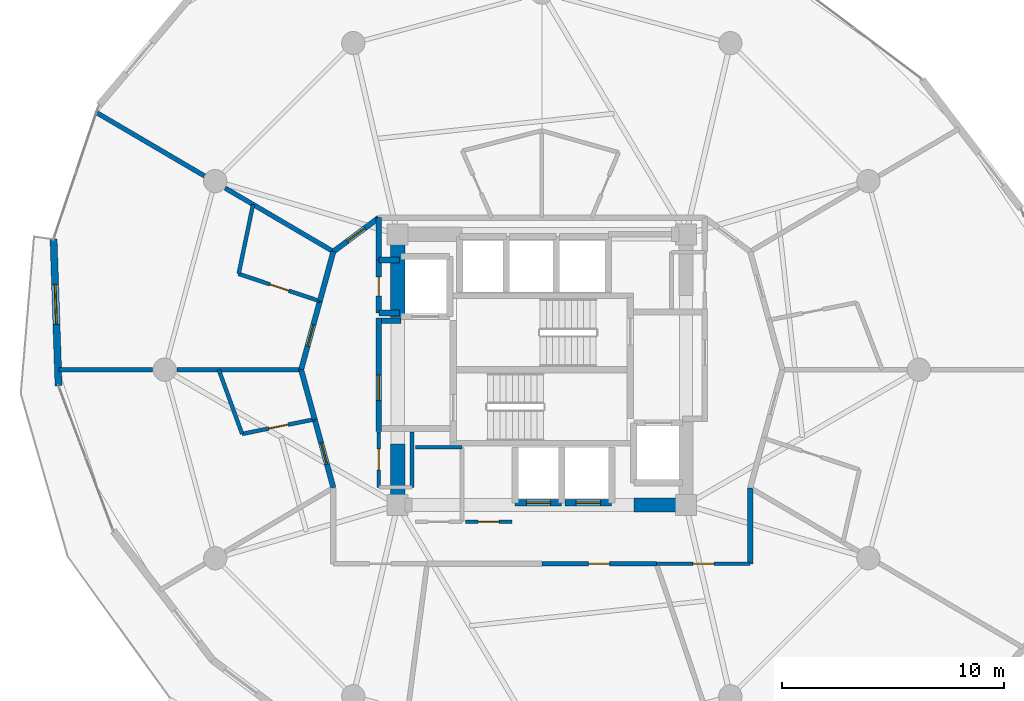
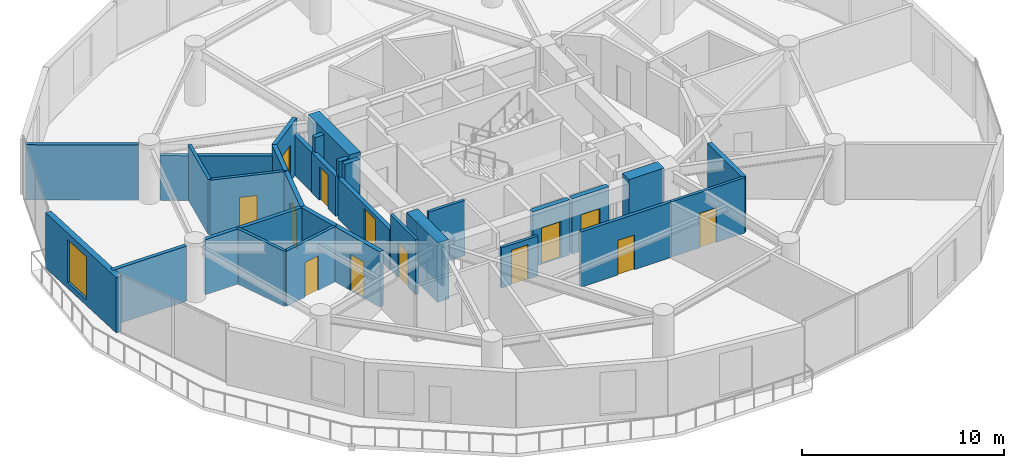
# One storey, part 21 of 25: 32 walls, 13 doors, 1 window, 14 openings.
"""IFC4 building model written with IfcOpenShell, lengths in metres."""

from ifc_helpers import new_model, si_unit, direction, frame, frame_2d, origin, place, context, subcontext, project, spatial, rectangle, extrude, material, layer, layer_set, type_object, element, fill, save


model = new_model("IFC4")

# Units and contexts
model_context = context("Model", 3, precision=1e-05, world=origin(), true_north=direction((0.0, 1.0)))
body_context = subcontext(model_context, "Body", "Model", "MODEL_VIEW")
ifc_project = project(units=[si_unit("LENGTHUNIT", "METRE"), si_unit("AREAUNIT", "SQUARE_METRE"), si_unit("VOLUMEUNIT", "CUBIC_METRE"), si_unit("PLANEANGLEUNIT", "RADIAN"), si_unit("MASSUNIT", "GRAM", prefix="KILO")], contexts=[model_context])

# Site, building, storey
site_placement = place(None, origin())
site = spatial("IfcSite", under=ifc_project, at=site_placement, CompositionType="ELEMENT")
building_placement = place(site_placement, origin())
building = spatial("IfcBuilding", under=site, at=building_placement, Name="Solvirekh Grand Hotel", CompositionType="ELEMENT")
storey_placement = place(building_placement, frame((0.0, 0.0, 106.199951171875)))
storey = spatial("IfcBuildingStorey", under=building, at=storey_placement, Name="L26", CompositionType="ELEMENT", Elevation=106.199951171875)

# Wall, opening, door
ifc_material_1 = material(Name="Concrete C40/50", Category="concrete")
ifc_layer_1 = layer(ifc_material_1, 0.280029296875)
ifc_layer_set_1 = layer_set([ifc_layer_1], Name="Concrete C40/50")
wall_type_1 = type_object("IfcWallType", Name="CoreShaftWall_RC280", PredefinedType="SOLIDWALL", material=ifc_layer_set_1)
wall_1_placement = place(storey_placement, frame((-1.199951171875, -6.0, 0.0), z_axis=(0.0, 0.0, 1.0), x_axis=(1.0, 0.0, 0.0)))
wall_1 = element("IfcWall", 1, at=wall_1_placement, inside=storey, type_object=wall_type_1, Name="L26 MP-1 hoistway S wall", PredefinedType="SOLIDWALL", context=body_context, shape_type="SweptSolid", body=[
    extrude(rectangle(XDim=2.099853515625, YDim=0.280029296875, at=frame_2d((1.0498046875, 0.0))), origin(), (0.0, 0.0, 1.0), 3.35009765625),
])
opening_1_placement = place(wall_1_placement, frame((0.5, 0.0, 0.0)))
opening_1 = element("IfcOpeningElement", 2, at=opening_1_placement, cuts=wall_1, Name="Opening LD01", PredefinedType="OPENING", context=body_context, shape_type="SweptSolid", body=[
    extrude(rectangle(XDim=1.10009765625, YDim=2.199951171875, at=frame_2d((0.550048828125, 1.10009765625))), frame((0.0, 0.14990234375, 0.0), z_axis=(0.0, -1.0, 0.0), x_axis=(1.0, 0.0, 0.0)), (0.0, 0.0, 1.0), 0.300048828125),
])
ifc_material_2 = material(Name="Fire-Rated Steel Door Assembly", Category="steel")
door_type_1 = type_object("IfcDoorType", Name="Door_LiftLanding_1100X2200", OperationType="SLIDING_TO_LEFT", PredefinedType="DOOR", material=ifc_material_2)
door_1_placement = place(opening_1_placement, origin())
door_1 = element("IfcDoor", 3, at=door_1_placement, inside=storey, type_object=door_type_1, Name="L26 MP-1 sliding lift landing door", OperationType="SLIDING_TO_LEFT", OverallHeight=2.199951171875, OverallWidth=1.10009765625, PredefinedType="DOOR", context=body_context, shape_type="SweptSolid", body=[
    extrude(rectangle(XDim=1.10009765625, YDim=2.199951171875, at=frame_2d((0.550048828125, 1.10009765625))), frame((0.0, 0.02490234375, 0.0), z_axis=(0.0, -1.0, 0.0), x_axis=(1.0, 0.0, 0.0)), (0.0, 0.0, 1.0), 0.050048828125),
])
fill(opening_1, door_1)

wall_2_placement = place(storey_placement, frame((1.050048828125, -6.0, 0.0), z_axis=(0.0, 0.0, 1.0), x_axis=(1.0, 0.0, 0.0)))
wall_2 = element("IfcWall", 4, at=wall_2_placement, inside=storey, type_object=wall_type_1, Name="L26 MP-2 hoistway S wall", PredefinedType="SOLIDWALL", context=body_context, shape_type="SweptSolid", body=[
    extrude(rectangle(XDim=2.099853515625, YDim=0.280029296875, at=frame_2d((1.0498046875, 0.0))), origin(), (0.0, 0.0, 1.0), 3.35009765625),
])
opening_2_placement = place(wall_2_placement, frame((0.5, 0.0, 0.0)))
opening_2 = element("IfcOpeningElement", 5, at=opening_2_placement, cuts=wall_2, Name="Opening LD01", PredefinedType="OPENING", context=body_context, shape_type="SweptSolid", body=[
    extrude(rectangle(XDim=1.10009765625, YDim=2.199951171875, at=frame_2d((0.550048828125, 1.10009765625))), frame((0.0, 0.14990234375, 0.0), z_axis=(0.0, -1.0, 0.0), x_axis=(1.0, 0.0, 0.0)), (0.0, 0.0, 1.0), 0.300048828125),
])
door_2_placement = place(opening_2_placement, origin())
door_2 = element("IfcDoor", 6, at=door_2_placement, inside=storey, type_object=door_type_1, Name="L26 MP-2 sliding lift landing door", OperationType="SLIDING_TO_LEFT", OverallHeight=2.199951171875, OverallWidth=1.10009765625, PredefinedType="DOOR", context=body_context, shape_type="SweptSolid", body=[
    extrude(rectangle(XDim=1.10009765625, YDim=2.199951171875, at=frame_2d((0.550048828125, 1.10009765625))), frame((0.0, 0.02490234375, 0.0), z_axis=(0.0, -1.0, 0.0), x_axis=(1.0, 0.0, 0.0)), (0.0, 0.0, 1.0), 0.050048828125),
])
fill(opening_2, door_2)

# Walls
ifc_material_3 = material(Name="Concrete C50/60", Category="concrete")
ifc_layer_2 = layer(ifc_material_3, 0.64990234375)
ifc_layer_set_2 = layer_set([ifc_layer_2], Name="Concrete C50/60")
wall_type_2 = type_object("IfcWallType", Name="CoreWall_RC650", PredefinedType="SHEAR", material=ifc_layer_set_2)
wall_3_placement = place(storey_placement, frame((4.14990234375, -6.10009765625, 0.0), z_axis=(0.0, 0.0, 1.0), x_axis=(1.0, 0.0, 0.0)))
element("IfcWall", 7, at=wall_3_placement, inside=storey, type_object=wall_type_2, Name="L26 core corner shear wall SE-S", PredefinedType="SHEAR", context=body_context, shape_type="SweptSolid", body=[
    extrude(rectangle(XDim=2.025146484375, YDim=0.64990234375, at=frame_2d((1.0126953125, 0.0))), origin(), (0.0, 0.0, 1.0), 3.60009765625),
])
wall_4_placement = place(storey_placement, frame((-6.5, 2.35009765625, 0.0), z_axis=(0.0, 0.0, 1.0), x_axis=(0.0, 1.0, 0.0)))
element("IfcWall", 8, at=wall_4_placement, inside=storey, type_object=wall_type_2, Name="L26 core corner shear wall WN-W", PredefinedType="SHEAR", context=body_context, shape_type="SweptSolid", body=[
    extrude(rectangle(XDim=4.074951171875, YDim=0.64990234375, at=frame_2d((2.03759765625, 0.0))), origin(), (0.0, 0.0, 1.0), 3.60009765625),
])
wall_5_placement = place(storey_placement, frame((-6.5, -6.425048828125, 0.0), z_axis=(0.0, 0.0, 1.0), x_axis=(0.0, 1.0, 0.0)))
element("IfcWall", 9, at=wall_5_placement, inside=storey, type_object=wall_type_2, Name="L26 core corner shear wall WS-W", PredefinedType="SHEAR", context=body_context, shape_type="SweptSolid", body=[
    extrude(rectangle(XDim=3.074951171875, YDim=0.64990234375, at=frame_2d((1.53759765625, 0.0))), origin(), (0.0, 0.0, 1.0), 3.60009765625),
])

# Wall, opening, window
ifc_material_4 = material(Name="Precast concrete C45/55", Category="concrete")
ifc_layer_3 = layer(ifc_material_4, 0.320068359375)
ifc_layer_set_3 = layer_set([ifc_layer_3], Name="Precast concrete C45/55")
wall_type_3 = type_object("IfcWallType", Name="ExtLobbyWall_RC320", PredefinedType="SOLIDWALL", material=ifc_layer_set_3)
wall_6_placement = place(storey_placement, frame((-21.785888671875, -0.722900390625, 0.0), z_axis=(0.0, 0.0, 1.0), x_axis=(-0.034040106065, 0.999420467661, 0.0)))
wall_6 = element("IfcWall", 10, at=wall_6_placement, inside=storey, type_object=wall_type_3, Name="L26 exterior structural wall chord 12", PredefinedType="SOLIDWALL", context=body_context, shape_type="SweptSolid", body=[
    extrude(rectangle(XDim=6.61279296875, YDim=0.320068359375, at=frame_2d((3.306396484375, 0.0))), origin(), (0.0, 0.0, 1.0), 3.35009765625),
])
opening_3_placement = place(wall_6_placement, frame((2.76708984375, 0.0, 0.35009765625)))
opening_3 = element("IfcOpeningElement", 11, at=opening_3_placement, cuts=wall_6, Name="Opening W02", PredefinedType="OPENING", context=body_context, shape_type="SweptSolid", body=[
    extrude(rectangle(XDim=1.800048828125, YDim=2.60009765625, at=frame_2d((0.89990234375, 1.300048828125))), frame((0.0, 0.169921875, 0.0), z_axis=(0.0, -1.0, 0.0), x_axis=(1.0, 0.0, 0.0)), (0.0, 0.0, 1.0), 0.340087890625),
])
ifc_material_5 = material(Name="Low-E Tinted Bronze Laminated Glass", Category="aluminium")
window_type = type_object("IfcWindowType", Name="Win_LobbyExt_1800X2600", PartitioningType="SINGLE_PANEL", PredefinedType="WINDOW", material=ifc_material_5)
window_placement = place(opening_3_placement, origin())
window = element("IfcWindow", 12, at=window_placement, inside=storey, type_object=window_type, Name="L26 panoramic bronze-framed window 12", OverallHeight=2.60009765625, OverallWidth=1.800048828125, PartitioningType="SINGLE_PANEL", PredefinedType="WINDOW", context=body_context, shape_type="SweptSolid", body=[
    extrude(rectangle(XDim=1.800048828125, YDim=2.60009765625, at=frame_2d((0.89990234375, 1.300048828125))), frame((0.0, 0.030029296875, 0.0), z_axis=(0.0, -1.0, 0.0), x_axis=(1.0, 0.0, 0.0)), (0.0, 0.0, 1.0), 0.06005859375),
])
fill(opening_3, window)

# Wall
ifc_material_6 = material(Name="Acoustic Gypsum Partition Assembly")
ifc_layer_4 = layer(ifc_material_6, 0.1650390625)
ifc_layer_set_4 = layer_set([ifc_layer_4], Name="Acoustic Gypsum Partition Assembly")
wall_type_4 = type_object("IfcWallType", Name="Part_BOH_165", PredefinedType="PARTITIONING", material=ifc_layer_set_4)
wall_7_placement = place(storey_placement, frame((-5.85009765625, -5.300048828125, 0.0), z_axis=(0.0, 0.0, 1.0), x_axis=(0.0, 1.0, 0.0)))
element("IfcWall", 13, at=wall_7_placement, inside=storey, type_object=wall_type_4, Name="L26 L26 Core Linen Store wall 2", PredefinedType="PARTITIONING", context=body_context, shape_type="SweptSolid", body=[
    extrude(rectangle(XDim=2.5, YDim=0.1650390625, at=frame_2d((1.25, 0.0))), origin(), (0.0, 0.0, 1.0), 2.43505859375),
])

# Wall, opening, door
wall_8_placement = place(storey_placement, frame((-7.35009765625, -2.800048828125, 0.0), z_axis=(0.0, 0.0, 1.0), x_axis=(0.0, -1.0, 0.0)))
wall_8 = element("IfcWall", 14, at=wall_8_placement, inside=storey, type_object=wall_type_4, Name="L26 L26 Core Linen Store wall 4", PredefinedType="PARTITIONING", context=body_context, shape_type="SweptSolid", body=[
    extrude(rectangle(XDim=2.5, YDim=0.1650390625, at=frame_2d((1.25, 0.0))), origin(), (0.0, 0.0, 1.0), 3.35009765625),
])
opening_4_placement = place(wall_8_placement, frame((0.77490234375, 0.0, 0.0)))
opening_4 = element("IfcOpeningElement", 15, at=opening_4_placement, cuts=wall_8, Name="Opening D10", PredefinedType="OPENING", context=body_context, shape_type="SweptSolid", body=[
    extrude(rectangle(XDim=0.949951171875, YDim=2.10009765625, at=frame_2d((0.47509765625, 1.050048828125))), frame((0.0, 0.092529296875, 0.0), z_axis=(0.0, -1.0, 0.0), x_axis=(1.0, 0.0, 0.0)), (0.0, 0.0, 1.0), 0.18505859375),
])
ifc_material_7 = material(Name="Anodized Bronze Aluminium 6063-T6", Category="aluminium")
door_type_2 = type_object("IfcDoorType", Name="Door_RoomInt_950X2100", OperationType="NOTDEFINED", PredefinedType="DOOR", material=ifc_material_7)
door_3_placement = place(opening_4_placement, origin())
door_3 = element("IfcDoor", 16, at=door_3_placement, inside=storey, type_object=door_type_2, Name="L26 L26 Core Linen Store door", OperationType="SINGLE_SWING_LEFT", OverallHeight=2.10009765625, OverallWidth=0.949951171875, PredefinedType="DOOR", context=body_context, shape_type="SweptSolid", body=[
    extrude(rectangle(XDim=0.949951171875, YDim=2.10009765625, at=frame_2d((0.47509765625, 1.050048828125))), frame((0.0, 0.02490234375, 0.0), z_axis=(0.0, -1.0, 0.0), x_axis=(1.0, 0.0, 0.0)), (0.0, 0.0, 1.0), 0.050048828125),
])
fill(opening_4, door_3)

# Wall
wall_9_placement = place(storey_placement, frame((-3.60009765625, -3.5, 0.0), z_axis=(0.0, 0.0, 1.0), x_axis=(-1.0, 0.0, 0.0)))
element("IfcWall", 17, at=wall_9_placement, inside=storey, type_object=wall_type_4, Name="L26 Mid-Zone Housekeeping Store wall 3", PredefinedType="PARTITIONING", context=body_context, shape_type="SweptSolid", body=[
    extrude(rectangle(XDim=2.099853515625, YDim=0.1650390625, at=frame_2d((1.0498046875, 0.0))), origin(), (0.0, 0.0, 1.0), 3.35009765625),
])

# Wall, opening, door
wall_10_placement = place(storey_placement, frame((-3.449951171875, -6.85009765625, 0.0), z_axis=(0.0, 0.0, 1.0), x_axis=(1.0, 0.0, 0.0)))
wall_10 = element("IfcWall", 18, at=wall_10_placement, inside=storey, type_object=wall_type_4, Name="L26 Mid-Zone Linen Closet wall 1", PredefinedType="PARTITIONING", context=body_context, shape_type="SweptSolid", body=[
    extrude(rectangle(XDim=2.099853515625, YDim=0.1650390625, at=frame_2d((1.0498046875, 0.0))), origin(), (0.0, 0.0, 1.0), 2.43505859375),
])
opening_5_placement = place(wall_10_placement, frame((0.574951171875, 0.0, 0.0)))
opening_5 = element("IfcOpeningElement", 19, at=opening_5_placement, cuts=wall_10, Name="Opening D10", PredefinedType="OPENING", context=body_context, shape_type="SweptSolid", body=[
    extrude(rectangle(XDim=0.949951171875, YDim=2.10009765625, at=frame_2d((0.47509765625, 1.050048828125))), frame((0.0, 0.092529296875, 0.0), z_axis=(0.0, -1.0, 0.0), x_axis=(1.0, 0.0, 0.0)), (0.0, 0.0, 1.0), 0.18505859375),
])
door_4_placement = place(opening_5_placement, origin())
door_4 = element("IfcDoor", 20, at=door_4_placement, inside=storey, type_object=door_type_2, Name="L26 Mid-Zone Linen Closet door", OperationType="SINGLE_SWING_RIGHT", OverallHeight=2.10009765625, OverallWidth=0.949951171875, PredefinedType="DOOR", context=body_context, shape_type="SweptSolid", body=[
    extrude(rectangle(XDim=0.949951171875, YDim=2.10009765625, at=frame_2d((0.47509765625, 1.050048828125))), frame((0.0, 0.02490234375, 0.0), z_axis=(0.0, -1.0, 0.0), x_axis=(1.0, 0.0, 0.0)), (0.0, 0.0, 1.0), 0.050048828125),
])
fill(opening_5, door_4)

wall_11_placement = place(storey_placement, frame((5.16796875, -8.75, 0.0), z_axis=(0.0, 0.0, 1.0), x_axis=(1.0, 0.0, 0.0)))
wall_11 = element("IfcWall", 21, at=wall_11_placement, inside=storey, type_object=wall_type_4, Name="L26 L26 Butler Valet & Linen Steward Room entrance wall", PredefinedType="PARTITIONING", context=body_context, shape_type="SweptSolid", body=[
    extrude(rectangle(XDim=4.22802734375, YDim=0.1650390625, at=frame_2d((2.114013671875, 0.0))), origin(), (0.0, 0.0, 1.0), 3.35009765625),
])
opening_6_placement = place(wall_11_placement, frame((1.638916015625, 0.0, 0.0)))
opening_6 = element("IfcOpeningElement", 22, at=opening_6_placement, cuts=wall_11, Name="Opening D10", PredefinedType="OPENING", context=body_context, shape_type="SweptSolid", body=[
    extrude(rectangle(XDim=0.949951171875, YDim=2.10009765625, at=frame_2d((0.47509765625, 1.050048828125))), frame((0.0, 0.092529296875, 0.0), z_axis=(0.0, -1.0, 0.0), x_axis=(1.0, 0.0, 0.0)), (0.0, 0.0, 1.0), 0.18505859375),
])
door_5_placement = place(opening_6_placement, origin())
door_5 = element("IfcDoor", 23, at=door_5_placement, inside=storey, type_object=door_type_2, Name="L26 L26 Butler Valet & Linen Steward Room entrance door", OperationType="SINGLE_SWING_LEFT", OverallHeight=2.10009765625, OverallWidth=0.949951171875, PredefinedType="DOOR", context=body_context, shape_type="SweptSolid", body=[
    extrude(rectangle(XDim=0.949951171875, YDim=2.10009765625, at=frame_2d((0.47509765625, 1.050048828125))), frame((0.0, 0.02490234375, 0.0), z_axis=(0.0, -1.0, 0.0), x_axis=(1.0, 0.0, 0.0)), (0.0, 0.0, 1.0), 0.050048828125),
])
fill(opening_6, door_5)

ifc_layer_5 = layer(ifc_material_6, 0.239990234375)
ifc_layer_set_5 = layer_set([ifc_layer_5], Name="Acoustic Gypsum Partition Assembly")
wall_type_5 = type_object("IfcWallType", Name="Part_Corridor_240", PredefinedType="PARTITIONING", material=ifc_layer_set_5)
wall_12_placement = place(storey_placement, frame((-7.35009765625, -2.780029296875, 0.0), z_axis=(0.0, 0.0, 1.0), x_axis=(0.0, 1.0, 0.0)))
wall_12 = element("IfcWall", 24, at=wall_12_placement, inside=storey, type_object=wall_type_5, Name="L26 west firefighting lobby smoke screen wall", PredefinedType="PARTITIONING", context=body_context, shape_type="SweptSolid", body=[
    extrude(rectangle(XDim=5.1201171875, YDim=0.239990234375, at=frame_2d((2.56005859375, 0.0))), origin(), (0.0, 0.0, 1.0), 2.43505859375),
])
opening_7_placement = place(wall_12_placement, frame((1.388916015625, 0.0, 0.0)))
opening_7 = element("IfcOpeningElement", 25, at=opening_7_placement, cuts=wall_12, Name="Opening D06", PredefinedType="OPENING", context=body_context, shape_type="SweptSolid", body=[
    extrude(rectangle(XDim=1.14990234375, YDim=2.199951171875, at=frame_2d((0.574951171875, 1.10009765625))), frame((0.0, 0.1298828125, 0.0), z_axis=(0.0, -1.0, 0.0), x_axis=(1.0, 0.0, 0.0)), (0.0, 0.0, 1.0), 0.260009765625),
])
door_type_3 = type_object("IfcDoorType", Name="Door_FFLobby_1150X2200", OperationType="NOTDEFINED", PredefinedType="DOOR", material=ifc_material_2)
door_6_placement = place(opening_7_placement, origin())
door_6 = element("IfcDoor", 26, at=door_6_placement, inside=storey, type_object=door_type_3, Name="L26 west firefighting lobby smoke door", OperationType="SINGLE_SWING_RIGHT", OverallHeight=2.199951171875, OverallWidth=1.14990234375, PredefinedType="DOOR", context=body_context, shape_type="SweptSolid", body=[
    extrude(rectangle(XDim=1.14990234375, YDim=2.199951171875, at=frame_2d((0.574951171875, 1.10009765625))), frame((0.0, 0.02490234375, 0.0), z_axis=(0.0, -1.0, 0.0), x_axis=(1.0, 0.0, 0.0)), (0.0, 0.0, 1.0), 0.050048828125),
])
fill(opening_7, door_6)

# Wall
wall_13_placement = place(storey_placement, frame((-7.35009765625, 4.949951171875, 0.0), z_axis=(0.0, 0.0, 1.0), x_axis=(0.0, 1.0, 0.0)))
element("IfcWall", 27, at=wall_13_placement, inside=storey, type_object=wall_type_5, Name="L26 NW core cheek closure wall", PredefinedType="PARTITIONING", context=body_context, shape_type="SweptSolid", body=[
    extrude(rectangle(XDim=1.900146484375, YDim=0.239990234375, at=frame_2d((0.9501953125, 0.0))), origin(), (0.0, 0.0, 1.0), 2.43505859375),
])

# Wall, opening, door
wall_14_placement = place(storey_placement, frame((-9.39599609375, 5.324951171875, 0.0), z_axis=(0.0, 0.0, 1.0), x_axis=(0.8017416961, 0.597670689205, 0.0)))
wall_14 = element("IfcWall", 28, at=wall_14_placement, inside=storey, type_object=wall_type_5, Name="L26 Panorama Suite 2802 entrance wall", PredefinedType="PARTITIONING", context=body_context, shape_type="SweptSolid", body=[
    extrude(rectangle(XDim=2.5517578125, YDim=0.239990234375, at=frame_2d((1.27587890625, 0.0))), origin(), (0.0, 0.0, 1.0), 3.35009765625),
])
opening_8_placement = place(wall_14_placement, frame((0.77587890625, 0.0, 0.0)))
opening_8 = element("IfcOpeningElement", 29, at=opening_8_placement, cuts=wall_14, Name="Opening D07", PredefinedType="OPENING", context=body_context, shape_type="SweptSolid", body=[
    extrude(rectangle(XDim=1.0, YDim=2.199951171875, at=frame_2d((0.5, 1.10009765625))), frame((0.0, 0.1298828125, 0.0), z_axis=(0.0, -1.0, 0.0), x_axis=(1.0, 0.0, 0.0)), (0.0, 0.0, 1.0), 0.260009765625),
])
door_type_4 = type_object("IfcDoorType", Name="Door_GuestEntry_1000X2200", OperationType="NOTDEFINED", PredefinedType="DOOR", material=ifc_material_2)
door_7_placement = place(opening_8_placement, origin())
door_7 = element("IfcDoor", 30, at=door_7_placement, inside=storey, type_object=door_type_4, Name="L26 Panorama Suite 2802 entrance door", OperationType="SINGLE_SWING_RIGHT", OverallHeight=2.199951171875, OverallWidth=1.0, PredefinedType="DOOR", context=body_context, shape_type="SweptSolid", body=[
    extrude(rectangle(XDim=1.0, YDim=2.199951171875, at=frame_2d((0.5, 1.10009765625))), frame((0.0, 0.02490234375, 0.0), z_axis=(0.0, -1.0, 0.0), x_axis=(1.0, 0.0, 0.0)), (0.0, 0.0, 1.0), 0.050048828125),
])
fill(opening_8, door_7)

# Wall
wall_15_placement = place(storey_placement, frame((-9.39599609375, 5.324951171875, 0.0), z_axis=(0.0, 0.0, 1.0), x_axis=(-0.263643210908, -0.964620265878, 0.0)))
element("IfcWall", 31, at=wall_15_placement, inside=storey, type_object=wall_type_5, Name="L26 En-suite Bathroom 2803 corridor backing wall", PredefinedType="PARTITIONING", context=body_context, shape_type="SweptSolid", body=[
    extrude(rectangle(XDim=2.31787109375, YDim=0.239990234375, at=frame_2d((1.158935546875, 0.0))), origin(), (0.0, 0.0, 1.0), 3.35009765625),
])

# Wall, opening, door
wall_16_placement = place(storey_placement, frame((-10.007080078125, 3.089111328125, 0.0), z_axis=(0.0, 0.0, 1.0), x_axis=(-0.263272237376, -0.964721581093, 0.0)))
wall_16 = element("IfcWall", 32, at=wall_16_placement, inside=storey, type_object=wall_type_5, Name="L26 Deluxe Guestroom 2803 entrance wall", PredefinedType="PARTITIONING", context=body_context, shape_type="SweptSolid", body=[
    extrude(rectangle(XDim=3.2021484375, YDim=0.239990234375, at=frame_2d((1.60107421875, 0.0))), origin(), (0.0, 0.0, 1.0), 3.35009765625),
])
opening_9_placement = place(wall_16_placement, frame((1.10107421875, 0.0, 0.0)))
opening_9 = element("IfcOpeningElement", 33, at=opening_9_placement, cuts=wall_16, Name="Opening D07", PredefinedType="OPENING", context=body_context, shape_type="SweptSolid", body=[
    extrude(rectangle(XDim=1.0, YDim=2.199951171875, at=frame_2d((0.5, 1.10009765625))), frame((0.0, 0.1298828125, 0.0), z_axis=(0.0, -1.0, 0.0), x_axis=(1.0, 0.0, 0.0)), (0.0, 0.0, 1.0), 0.260009765625),
])
door_8_placement = place(opening_9_placement, origin())
door_8 = element("IfcDoor", 34, at=door_8_placement, inside=storey, type_object=door_type_4, Name="L26 Deluxe Guestroom 2803 entrance door", OperationType="SINGLE_SWING_RIGHT", OverallHeight=2.199951171875, OverallWidth=1.0, PredefinedType="DOOR", context=body_context, shape_type="SweptSolid", body=[
    extrude(rectangle(XDim=1.0, YDim=2.199951171875, at=frame_2d((0.5, 1.10009765625))), frame((0.0, 0.02490234375, 0.0), z_axis=(0.0, -1.0, 0.0), x_axis=(1.0, 0.0, 0.0)), (0.0, 0.0, 1.0), 0.050048828125),
])
fill(opening_9, door_8)

# Wall
wall_17_placement = place(storey_placement, frame((-10.85009765625, 0.0, 0.0), z_axis=(0.0, 0.0, 1.0), x_axis=(0.263616426241, -0.964627586074, 0.0)))
element("IfcWall", 35, at=wall_17_placement, inside=storey, type_object=wall_type_5, Name="L26 En-suite Bathroom 2804 corridor backing wall", PredefinedType="PARTITIONING", context=body_context, shape_type="SweptSolid", body=[
    extrude(rectangle(XDim=2.318115234375, YDim=0.239990234375, at=frame_2d((1.1591796875, 0.0))), origin(), (0.0, 0.0, 1.0), 3.35009765625),
])

# Wall, opening, door
wall_18_placement = place(storey_placement, frame((-10.239013671875, -2.236083984375, 0.0), z_axis=(0.0, 0.0, 1.0), x_axis=(0.26329160366, -0.964716295831, 0.0)))
wall_18 = element("IfcWall", 36, at=wall_18_placement, inside=storey, type_object=wall_type_5, Name="L26 Deluxe Guestroom 2804 entrance wall", PredefinedType="PARTITIONING", context=body_context, shape_type="SweptSolid", body=[
    extrude(rectangle(XDim=3.201904296875, YDim=0.239990234375, at=frame_2d((1.60107421875, 0.0))), origin(), (0.0, 0.0, 1.0), 3.35009765625),
])
opening_10_placement = place(wall_18_placement, frame((1.10107421875, 0.0, 0.0)))
opening_10 = element("IfcOpeningElement", 37, at=opening_10_placement, cuts=wall_18, Name="Opening D07", PredefinedType="OPENING", context=body_context, shape_type="SweptSolid", body=[
    extrude(rectangle(XDim=1.0, YDim=2.199951171875, at=frame_2d((0.5, 1.10009765625))), frame((0.0, 0.1298828125, 0.0), z_axis=(0.0, -1.0, 0.0), x_axis=(1.0, 0.0, 0.0)), (0.0, 0.0, 1.0), 0.260009765625),
])
door_9_placement = place(opening_10_placement, origin())
door_9 = element("IfcDoor", 38, at=door_9_placement, inside=storey, type_object=door_type_4, Name="L26 Deluxe Guestroom 2804 entrance door", OperationType="SINGLE_SWING_RIGHT", OverallHeight=2.199951171875, OverallWidth=1.0, PredefinedType="DOOR", context=body_context, shape_type="SweptSolid", body=[
    extrude(rectangle(XDim=1.0, YDim=2.199951171875, at=frame_2d((0.5, 1.10009765625))), frame((0.0, 0.02490234375, 0.0), z_axis=(0.0, -1.0, 0.0), x_axis=(1.0, 0.0, 0.0)), (0.0, 0.0, 1.0), 0.050048828125),
])
fill(opening_10, door_9)

# Wall
wall_19_placement = place(storey_placement, frame((9.39599609375, -8.75, 0.0), z_axis=(0.0, 0.0, 1.0), x_axis=(0.0, 1.0, 0.0)))
element("IfcWall", 39, at=wall_19_placement, inside=storey, type_object=wall_type_5, Name="L26 L26 Butler Valet & Linen Steward Room corridor wall 1", PredefinedType="PARTITIONING", context=body_context, shape_type="SweptSolid", body=[
    extrude(rectangle(XDim=3.425048828125, YDim=0.239990234375, at=frame_2d((1.71240234375, 0.0))), origin(), (0.0, 0.0, 1.0), 3.35009765625),
])

# Wall, opening, door
ifc_layer_6 = layer(ifc_material_6, 0.18994140625)
ifc_layer_set_6 = layer_set([ifc_layer_6], Name="Acoustic Gypsum Partition Assembly")
wall_type_6 = type_object("IfcWallType", Name="Part_GuestDemise_190", PredefinedType="PARTITIONING", material=ifc_layer_set_6)
wall_20_placement = place(storey_placement, frame((0.0, -8.75, 0.0), z_axis=(0.0, 0.0, 1.0), x_axis=(1.0, 0.0, 0.0)))
wall_20 = element("IfcWall", 40, at=wall_20_placement, inside=storey, type_object=wall_type_6, Name="L26 L26 Riverfront Reading Lounge entrance wall", PredefinedType="PARTITIONING", context=body_context, shape_type="SweptSolid", body=[
    extrude(rectangle(XDim=5.16796875, YDim=0.18994140625, at=frame_2d((2.583984375, 0.0))), origin(), (0.0, 0.0, 1.0), 3.35009765625),
])
opening_11_placement = place(wall_20_placement, frame((2.10888671875, 0.0, 0.0)))
opening_11 = element("IfcOpeningElement", 41, at=opening_11_placement, cuts=wall_20, Name="Opening D10", PredefinedType="OPENING", context=body_context, shape_type="SweptSolid", body=[
    extrude(rectangle(XDim=0.949951171875, YDim=2.10009765625, at=frame_2d((0.47509765625, 1.050048828125))), frame((0.0, 0.10498046875, 0.0), z_axis=(0.0, -1.0, 0.0), x_axis=(1.0, 0.0, 0.0)), (0.0, 0.0, 1.0), 0.2099609375),
])
door_10_placement = place(opening_11_placement, origin())
door_10 = element("IfcDoor", 42, at=door_10_placement, inside=storey, type_object=door_type_2, Name="L26 L26 Riverfront Reading Lounge entrance door", OperationType="SINGLE_SWING_RIGHT", OverallHeight=2.10009765625, OverallWidth=0.949951171875, PredefinedType="DOOR", context=body_context, shape_type="SweptSolid", body=[
    extrude(rectangle(XDim=0.949951171875, YDim=2.10009765625, at=frame_2d((0.47509765625, 1.050048828125))), frame((0.0, 0.02490234375, 0.0), z_axis=(0.0, -1.0, 0.0), x_axis=(1.0, 0.0, 0.0)), (0.0, 0.0, 1.0), 0.050048828125),
])
fill(opening_11, door_10)

# Walls
ifc_layer_7 = layer(ifc_material_6, 0.260009765625)
ifc_layer_set_7 = layer_set([ifc_layer_7], Name="Acoustic Gypsum Partition Assembly")
wall_type_7 = type_object("IfcWallType", Name="Part_LobbyFF_260", PredefinedType="PARTITIONING", material=ifc_layer_set_7)
wall_21_placement = place(storey_placement, frame((-7.22509765625, 2.2099609375, 0.0), z_axis=(0.0, 0.0, 1.0), x_axis=(1.0, 0.0, 0.0)))
element("IfcWall", 43, at=wall_21_placement, inside=storey, type_object=wall_type_7, Name="L26 west firefighting lobby NW cheek", PredefinedType="PARTITIONING", context=body_context, shape_type="SweptSolid", body=[
    extrude(rectangle(XDim=0.875, YDim=0.260009765625, at=frame_2d((0.4375, 0.0))), origin(), (0.0, 0.0, 1.0), 3.35009765625),
])
for number, where, z_axis, x_axis, name in (
    (44, (-7.35009765625, 4.949951171875, 0.0), (0.0, 0.0, 1.0), (1.0, 0.0, 0.0), "L26 NW telecom metering cupboard north wall"),
    (45, (-7.35009765625, 2.550048828125, 0.0), (0.0, 0.0, 1.0), (1.0, 0.0, 0.0), "L26 NW telecom metering cupboard south wall"),
):
    element("IfcWall", number, at=place(storey_placement, frame(where, z_axis=z_axis, x_axis=x_axis)), inside=storey, type_object=wall_type_7, Name=name, PredefinedType="PARTITIONING", context=body_context, shape_type="SweptSolid", body=[
        extrude(rectangle(XDim=0.93017578125, YDim=0.260009765625, at=frame_2d((0.465087890625, 0.0))), origin(), (0.0, 0.0, 1.0), 3.35009765625),
    ])

# Wall, opening, door
wall_22_placement = place(storey_placement, frame((-7.35009765625, 2.550048828125, 0.0), z_axis=(0.0, 0.0, 1.0), x_axis=(0.0, 1.0, 0.0)))
wall_22 = element("IfcWall", 46, at=wall_22_placement, inside=storey, type_object=wall_type_7, Name="L26 NW telecom metering cupboard access wall", PredefinedType="PARTITIONING", context=body_context, shape_type="SweptSolid", body=[
    extrude(rectangle(XDim=2.39990234375, YDim=0.260009765625, at=frame_2d((1.199951171875, 0.0))), origin(), (0.0, 0.0, 1.0), 2.43505859375),
])
opening_12_placement = place(wall_22_placement, frame((0.77490234375, 0.0, 0.0)))
opening_12 = element("IfcOpeningElement", 47, at=opening_12_placement, cuts=wall_22, Name="Opening D13", PredefinedType="OPENING", context=body_context, shape_type="SweptSolid", body=[
    extrude(rectangle(XDim=0.85009765625, YDim=2.050048828125, at=frame_2d((0.425048828125, 1.02490234375))), frame((0.0, 0.14013671875, 0.0), z_axis=(0.0, -1.0, 0.0), x_axis=(1.0, 0.0, 0.0)), (0.0, 0.0, 1.0), 0.280029296875),
])
door_type_5 = type_object("IfcDoorType", Name="Door_RiserShaft_850X2050", OperationType="NOTDEFINED", PredefinedType="DOOR", material=ifc_material_2)
door_11_placement = place(opening_12_placement, origin())
door_11 = element("IfcDoor", 48, at=door_11_placement, inside=storey, type_object=door_type_5, Name="L26 telecom metering cupboard access door", OperationType="SINGLE_SWING_RIGHT", OverallHeight=2.050048828125, OverallWidth=0.85009765625, PredefinedType="DOOR", context=body_context, shape_type="SweptSolid", body=[
    extrude(rectangle(XDim=0.85009765625, YDim=2.050048828125, at=frame_2d((0.425048828125, 1.02490234375))), frame((0.0, 0.02490234375, 0.0), z_axis=(0.0, -1.0, 0.0), x_axis=(1.0, 0.0, 0.0)), (0.0, 0.0, 1.0), 0.050048828125),
])
fill(opening_12, door_11)

# Walls
ifc_layer_8 = layer(ifc_material_6, 0.2099609375)
ifc_layer_set_8 = layer_set([ifc_layer_8], Name="Acoustic Gypsum Partition Assembly")
wall_type_8 = type_object("IfcWallType", Name="Part_SuiteDemise_210", PredefinedType="PARTITIONING", material=ifc_layer_set_8)
wall_23_placement = place(storey_placement, frame((-9.39599609375, 5.324951171875, 0.0), z_axis=(0.0, 0.0, 1.0), x_axis=(-0.862467386777, 0.50611264235, 0.0)))
element("IfcWall", 49, at=wall_23_placement, inside=storey, type_object=wall_type_8, Name="L26 suite radial wall 6 (A)", PredefinedType="PARTITIONING", context=body_context, shape_type="SweptSolid", body=[
    extrude(rectangle(XDim=5.656982421875, YDim=0.2099609375, at=frame_2d((2.82861328125, 0.0))), origin(), (0.0, 0.0, 1.0), 2.718994140625),
])
wall_24_placement = place(storey_placement, frame((-15.2119140625, 8.738037109375, 0.0), z_axis=(0.0, 0.0, 1.0), x_axis=(-0.862556345738, 0.505961016706, 0.0)))
element("IfcWall", 50, at=wall_24_placement, inside=storey, type_object=wall_type_8, Name="L26 suite radial wall 6 (B)", PredefinedType="PARTITIONING", context=body_context, shape_type="SweptSolid", body=[
    extrude(rectangle(XDim=5.60302734375, YDim=0.2099609375, at=frame_2d((2.801513671875, 0.0))), origin(), (0.0, 0.0, 1.0), 3.35009765625),
])
wall_25_placement = place(storey_placement, frame((-10.85009765625, 0.0, 0.0), z_axis=(0.0, 0.0, 1.0), x_axis=(-1.0, 0.0, 0.0)))
element("IfcWall", 51, at=wall_25_placement, inside=storey, type_object=wall_type_8, Name="L26 suite radial wall 7 (A)", PredefinedType="PARTITIONING", context=body_context, shape_type="SweptSolid", body=[
    extrude(rectangle(XDim=5.60498046875, YDim=0.2099609375, at=frame_2d((2.802490234375, 0.0))), origin(), (0.0, 0.0, 1.0), 3.35009765625),
])
wall_26_placement = place(storey_placement, frame((-17.544921875, 0.0, 0.0), z_axis=(0.0, 0.0, 1.0), x_axis=(-1.0, 0.0, 0.0)))
element("IfcWall", 52, at=wall_26_placement, inside=storey, type_object=wall_type_8, Name="L26 suite radial wall 7 (B)", PredefinedType="PARTITIONING", context=body_context, shape_type="SweptSolid", body=[
    extrude(rectangle(XDim=4.22607421875, YDim=0.2099609375, at=frame_2d((2.113037109375, 0.0))), origin(), (0.0, 0.0, 1.0), 3.35009765625),
])
ifc_layer_9 = layer(ifc_material_6, 0.175048828125)
ifc_layer_set_9 = layer_set([ifc_layer_9], Name="Acoustic Gypsum Partition Assembly")
wall_type_9 = type_object("IfcWallType", Name="Plumb_Ensuite_175", PredefinedType="PLUMBINGWALL", material=ifc_layer_set_9)
wall_27_placement = place(storey_placement, frame((-13.01708984375, 7.448974609375, 0.0), z_axis=(0.0, 0.0, 1.0), x_axis=(-0.203136275653, -0.979150475419, 0.0)))
element("IfcWall", 53, at=wall_27_placement, inside=storey, type_object=wall_type_9, Name="L26 En-suite Bathroom 2803 outer plumbing wall", PredefinedType="PLUMBINGWALL", context=body_context, shape_type="SweptSolid", body=[
    extrude(rectangle(XDim=3.194580078125, YDim=0.175048828125, at=frame_2d((1.59716796875, 0.0))), origin(), (0.0, 0.0, 1.0), 3.35009765625),
])

# Wall, opening, door
wall_28_placement = place(storey_placement, frame((-10.007080078125, 3.089111328125, 0.0), z_axis=(0.0, 0.0, 1.0), x_axis=(-0.947724103288, 0.319090933822, 0.0)))
wall_28 = element("IfcWall", 54, at=wall_28_placement, inside=storey, type_object=wall_type_9, Name="L26 En-suite Bathroom 2803 entry plumbing wall", PredefinedType="PLUMBINGWALL", context=body_context, shape_type="SweptSolid", body=[
    extrude(rectangle(XDim=3.86083984375, YDim=0.175048828125, at=frame_2d((1.930419921875, 0.0))), origin(), (0.0, 0.0, 1.0), 3.35009765625),
])
opening_13_placement = place(wall_28_placement, frame((1.47998046875, 0.0, 0.0)))
opening_13 = element("IfcOpeningElement", 55, at=opening_13_placement, cuts=wall_28, Name="Opening D09", PredefinedType="OPENING", context=body_context, shape_type="SweptSolid", body=[
    extrude(rectangle(XDim=0.89990234375, YDim=2.10009765625, at=frame_2d((0.449951171875, 1.050048828125))), frame((0.0, 0.09765625, 0.0), z_axis=(0.0, -1.0, 0.0), x_axis=(1.0, 0.0, 0.0)), (0.0, 0.0, 1.0), 0.195068359375),
])
door_type_6 = type_object("IfcDoorType", Name="Door_Ensuite_900X2100", OperationType="NOTDEFINED", PredefinedType="DOOR", material=ifc_material_7)
door_12_placement = place(opening_13_placement, origin())
door_12 = element("IfcDoor", 56, at=door_12_placement, inside=storey, type_object=door_type_6, Name="L26 En-suite Bathroom 2803 door", OperationType="SINGLE_SWING_LEFT", OverallHeight=2.10009765625, OverallWidth=0.89990234375, PredefinedType="DOOR", context=body_context, shape_type="SweptSolid", body=[
    extrude(rectangle(XDim=0.89990234375, YDim=2.10009765625, at=frame_2d((0.449951171875, 1.050048828125))), frame((0.0, 0.02490234375, 0.0), z_axis=(0.0, -1.0, 0.0), x_axis=(1.0, 0.0, 0.0)), (0.0, 0.0, 1.0), 0.050048828125),
])
fill(opening_13, door_12)

# Wall
wall_29_placement = place(storey_placement, frame((-14.56298828125, 0.0, 0.0), z_axis=(0.0, 0.0, 1.0), x_axis=(0.342092982083, -0.939666106449, 0.0)))
element("IfcWall", 57, at=wall_29_placement, inside=storey, type_object=wall_type_9, Name="L26 En-suite Bathroom 2804 outer plumbing wall", PredefinedType="PLUMBINGWALL", context=body_context, shape_type="SweptSolid", body=[
    extrude(rectangle(XDim=3.080810546875, YDim=0.175048828125, at=frame_2d((1.54052734375, 0.0))), origin(), (0.0, 0.0, 1.0), 3.35009765625),
])

# Wall, opening, door
wall_30_placement = place(storey_placement, frame((-10.239013671875, -2.236083984375, 0.0), z_axis=(0.0, 0.0, 1.0), x_axis=(-0.980295333609, -0.197537487338, 0.0)))
wall_30 = element("IfcWall", 58, at=wall_30_placement, inside=storey, type_object=wall_type_9, Name="L26 En-suite Bathroom 2804 entry plumbing wall", PredefinedType="PLUMBINGWALL", context=body_context, shape_type="SweptSolid", body=[
    extrude(rectangle(XDim=3.335693359375, YDim=0.175048828125, at=frame_2d((1.66796875, 0.0))), origin(), (0.0, 0.0, 1.0), 3.35009765625),
])
opening_14_placement = place(wall_30_placement, frame((1.218017578125, 0.0, 0.0)))
opening_14 = element("IfcOpeningElement", 59, at=opening_14_placement, cuts=wall_30, Name="Opening D09", PredefinedType="OPENING", context=body_context, shape_type="SweptSolid", body=[
    extrude(rectangle(XDim=0.89990234375, YDim=2.10009765625, at=frame_2d((0.449951171875, 1.050048828125))), frame((0.0, 0.09765625, 0.0), z_axis=(0.0, -1.0, 0.0), x_axis=(1.0, 0.0, 0.0)), (0.0, 0.0, 1.0), 0.195068359375),
])
door_13_placement = place(opening_14_placement, origin())
door_13 = element("IfcDoor", 60, at=door_13_placement, inside=storey, type_object=door_type_6, Name="L26 En-suite Bathroom 2804 door", OperationType="SINGLE_SWING_LEFT", OverallHeight=2.10009765625, OverallWidth=0.89990234375, PredefinedType="DOOR", context=body_context, shape_type="SweptSolid", body=[
    extrude(rectangle(XDim=0.89990234375, YDim=2.10009765625, at=frame_2d((0.449951171875, 1.050048828125))), frame((0.0, 0.02490234375, 0.0), z_axis=(0.0, -1.0, 0.0), x_axis=(1.0, 0.0, 0.0)), (0.0, 0.0, 1.0), 0.050048828125),
])
fill(opening_14, door_13)

save(model, "model.ifc")
